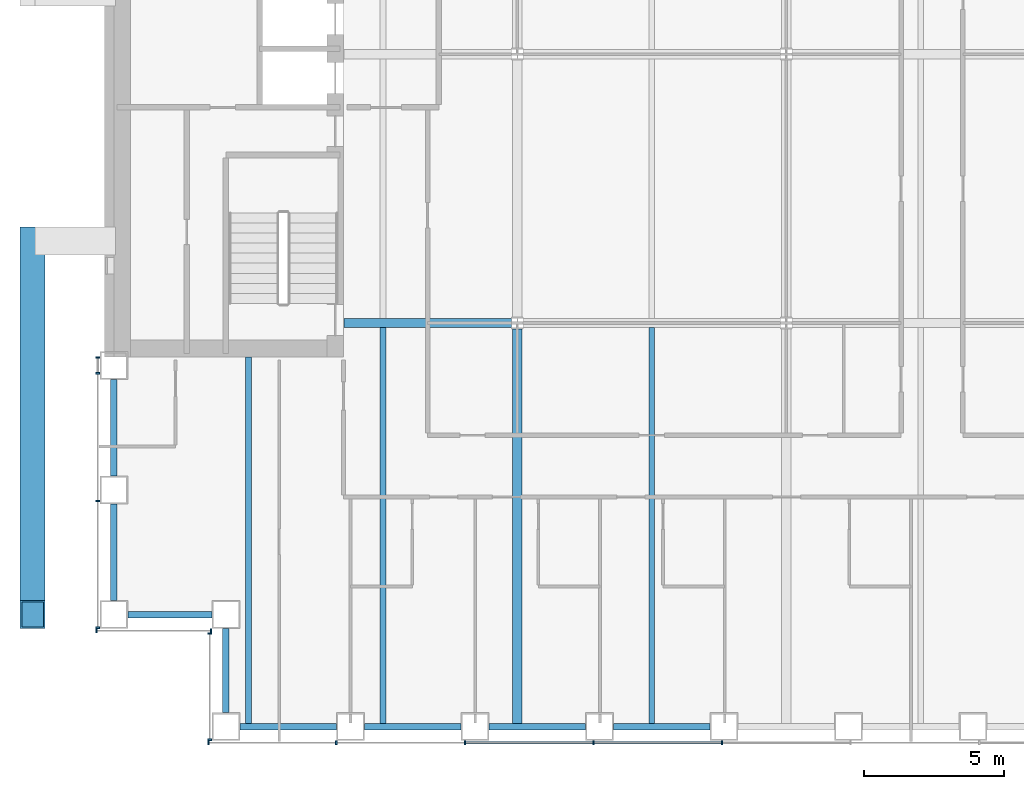
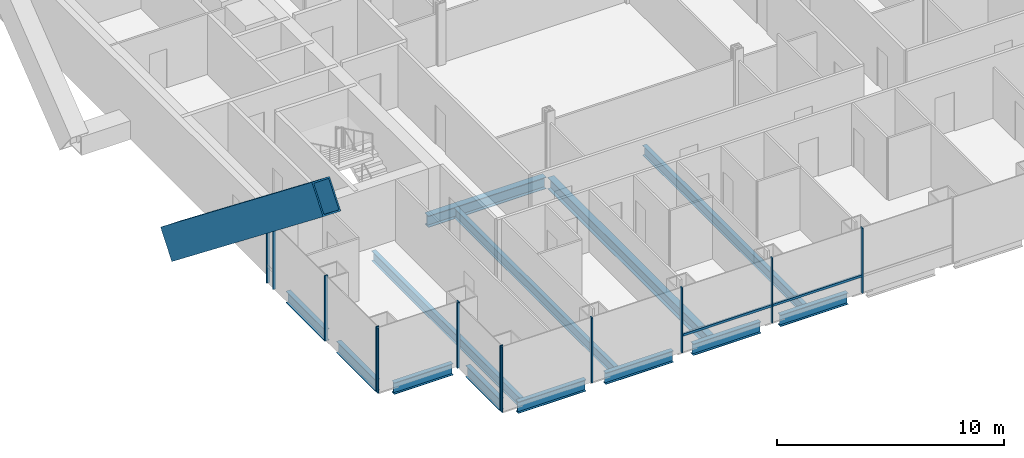
# One storey, part 2 of 23: 16 members, 13 beams, 4 elements without a shape of their own.
"""IFC4 building model written with IfcOpenShell, lengths in metres."""

from ifc_helpers import new_model, si_unit, direction, frame, origin, origin_2d, place, context, subcontext, project, spatial, rectangle, hollow_rectangle, i_section, extrude, material, material_profile, profile_set, type_object, element, aggregate, save


model = new_model("IFC4")

# Units and contexts
model_context = context("Model", 3, precision=1e-05, world=origin(), true_north=direction((0.0, 1.0)))
body_context = subcontext(model_context, "Body", "Model", "MODEL_VIEW")
ifc_project = project(units=[si_unit("LENGTHUNIT", "METRE"), si_unit("AREAUNIT", "SQUARE_METRE"), si_unit("VOLUMEUNIT", "CUBIC_METRE"), si_unit("PLANEANGLEUNIT", "RADIAN"), si_unit("MASSUNIT", "GRAM", prefix="KILO")], contexts=[model_context])

# Site, building, storey
site_placement = place(None, origin())
site = spatial("IfcSite", under=ifc_project, at=site_placement, CompositionType="ELEMENT")
building_placement = place(site_placement, origin())
building = spatial("IfcBuilding", under=site, at=building_placement, Name="Cobrizo Arcos Hotel Tower", CompositionType="ELEMENT")
storey_placement = place(building_placement, frame((0.0, 0.0, 56.5)))
storey = spatial("IfcBuildingStorey", under=building, at=storey_placement, Name="L12", CompositionType="ELEMENT", Elevation=56.5)

# Member
ifc_material_1 = material(Name="Steel ASTM A572 Grade 50", Category="steel")
ifc_material_profile_1 = material_profile(ifc_material_1, hollow_rectangle(XDim=0.89990234375, YDim=1.60009765625, WallThickness=0.070068359375, at=origin_2d()), Name="BOX 900X1600X70")
ifc_profile_set_1 = profile_set([ifc_material_profile_1], Name="Steel ASTM A572 Grade 50")
member_type_1 = type_object("IfcMemberType", Name="BOX 900X1600X70 perimeter brace", PredefinedType="BRACE", material=ifc_profile_set_1)
member_1_placement = place(storey_placement, frame((-26.89990234375, -6.666748046875, 0.5), z_axis=(0.0, -0.785634479204, 0.618690928563), x_axis=(1.0, 0.0, 0.0)))
element("IfcMember", 1, at=member_1_placement, inside=storey, type_object=member_type_1, Name="Perimeter brace PBR1, zone Z1, west face, no. 03", PredefinedType="BRACE", context=body_context, shape_type="SweptSolid", body=[
    extrude(hollow_rectangle(XDim=0.89990234375, YDim=1.60009765625, WallThickness=0.070068359375, at=origin_2d()), origin(), (0.0, 0.0, 1.0), 16.971435546875),
])

# Curtain wall, members
ifc_material_2 = material(Name="Aluminium 6063-T6 anodised bronze", Category="aluminium")
curtain_wall_type = type_object("IfcCurtainWallType", Name="CW-A guest facade", PredefinedType="NOTDEFINED", material=ifc_material_2)
curtain_wall_1_placement = place(storey_placement, origin())
curtain_wall_1 = element("IfcCurtainWall", 2, at=curtain_wall_1_placement, inside=storey, type_object=curtain_wall_type, Name="CW-A L12 S face", PredefinedType="NOTDEFINED")
ifc_material_profile_2 = material_profile(ifc_material_2, rectangle(XDim=0.14990234375, YDim=0.06005859375, at=origin_2d()), Name="CW-A mullion 150x60")
ifc_profile_set_2 = profile_set([ifc_material_profile_2], Name="Aluminium 6063-T6 anodised bronze")
member_type_2 = type_object("IfcMemberType", Name="CW-A mullion 150x60", PredefinedType="MULLION", material=ifc_profile_set_2)
member_2_placement = place(storey_placement, frame((-20.6201171875, -24.574951171875, 0.0), z_axis=(0.0, 0.0, 1.0), x_axis=(0.0, -1.0, 0.0)))
member_2 = element("IfcMember", 3, at=member_2_placement, type_object=member_type_2, Name="CW-A mullion 1", PredefinedType="MULLION", context=body_context, shape_type="SweptSolid", body=[
    extrude(rectangle(XDim=0.14990234375, YDim=0.06005859375, at=origin_2d()), origin(), (0.0, 0.0, 1.0), 3.5),
])
member_3_placement = place(storey_placement, frame((-16.06103515625, -24.574951171875, 0.0), z_axis=(0.0, 0.0, 1.0), x_axis=(0.0, -1.0, 0.0)))
member_3 = element("IfcMember", 4, at=member_3_placement, type_object=member_type_2, Name="CW-A mullion 2", PredefinedType="MULLION", context=body_context, shape_type="SweptSolid", body=[
    extrude(rectangle(XDim=0.14990234375, YDim=0.06005859375, at=origin_2d()), origin(), (0.0, 0.0, 1.0), 3.5),
])
member_4_placement = place(storey_placement, frame((-11.47216796875, -24.574951171875, 0.0), z_axis=(0.0, 0.0, 1.0), x_axis=(0.0, -1.0, 0.0)))
member_4 = element("IfcMember", 5, at=member_4_placement, type_object=member_type_2, Name="CW-A mullion 3", PredefinedType="MULLION", context=body_context, shape_type="SweptSolid", body=[
    extrude(rectangle(XDim=0.14990234375, YDim=0.06005859375, at=origin_2d()), origin(), (0.0, 0.0, 1.0), 3.5),
])
member_5_placement = place(storey_placement, frame((-6.88330078125, -24.574951171875, 0.0), z_axis=(0.0, 0.0, 1.0), x_axis=(0.0, -1.0, 0.0)))
member_5 = element("IfcMember", 6, at=member_5_placement, type_object=member_type_2, Name="CW-A mullion 4", PredefinedType="MULLION", context=body_context, shape_type="SweptSolid", body=[
    extrude(rectangle(XDim=0.14990234375, YDim=0.06005859375, at=origin_2d()), origin(), (0.0, 0.0, 1.0), 3.5),
])
member_6_placement = place(storey_placement, frame((-2.29443359375, -24.574951171875, 0.0), z_axis=(0.0, 0.0, 1.0), x_axis=(0.0, -1.0, 0.0)))
member_6 = element("IfcMember", 7, at=member_6_placement, type_object=member_type_2, Name="CW-A mullion 5", PredefinedType="MULLION", context=body_context, shape_type="SweptSolid", body=[
    extrude(rectangle(XDim=0.14990234375, YDim=0.06005859375, at=origin_2d()), origin(), (0.0, 0.0, 1.0), 3.5),
])

curtain_wall_2_placement = place(storey_placement, origin())
curtain_wall_2 = element("IfcCurtainWall", 8, at=curtain_wall_2_placement, inside=storey, type_object=curtain_wall_type, Name="CW-A L12 W face", PredefinedType="NOTDEFINED")
member_7_placement = place(storey_placement, frame((-24.574951171875, -10.830078125, 0.0), z_axis=(0.0, 0.0, 1.0), x_axis=(-1.0, 0.0, 0.0)))
member_7 = element("IfcMember", 9, at=member_7_placement, type_object=member_type_2, Name="CW-A mullion 1", PredefinedType="MULLION", context=body_context, shape_type="SweptSolid", body=[
    extrude(rectangle(XDim=0.14990234375, YDim=0.06005859375, at=origin_2d()), origin(), (0.0, 0.0, 1.0), 3.5),
])
member_8_placement = place(storey_placement, frame((-24.574951171875, -11.388916015625, 0.0), z_axis=(0.0, 0.0, 1.0), x_axis=(-1.0, 0.0, 0.0)))
member_8 = element("IfcMember", 10, at=member_8_placement, type_object=member_type_2, Name="CW-A mullion 2", PredefinedType="MULLION", context=body_context, shape_type="SweptSolid", body=[
    extrude(rectangle(XDim=0.14990234375, YDim=0.06005859375, at=origin_2d()), origin(), (0.0, 0.0, 1.0), 3.5),
])
member_9_placement = place(storey_placement, frame((-24.574951171875, -15.9443359375, 0.0), z_axis=(0.0, 0.0, 1.0), x_axis=(-1.0, 0.0, 0.0)))
member_9 = element("IfcMember", 11, at=member_9_placement, type_object=member_type_2, Name="CW-A mullion 3", PredefinedType="MULLION", context=body_context, shape_type="SweptSolid", body=[
    extrude(rectangle(XDim=0.14990234375, YDim=0.06005859375, at=origin_2d()), origin(), (0.0, 0.0, 1.0), 3.5),
])
member_10_placement = place(storey_placement, frame((-24.574951171875, -20.469970703125, 0.0), z_axis=(0.0, 0.0, 1.0), x_axis=(-1.0, 0.0, 0.0)))
member_10 = element("IfcMember", 12, at=member_10_placement, type_object=member_type_2, Name="CW-A mullion 4", PredefinedType="MULLION", context=body_context, shape_type="SweptSolid", body=[
    extrude(rectangle(XDim=0.14990234375, YDim=0.06005859375, at=origin_2d()), origin(), (0.0, 0.0, 1.0), 3.5),
])
aggregate(curtain_wall_2, [member_7, member_8, member_9, member_10])

curtain_wall_3_placement = place(storey_placement, origin())
curtain_wall_3 = element("IfcCurtainWall", 13, at=curtain_wall_3_placement, inside=storey, type_object=curtain_wall_type, Name="CW-A L12 S face", PredefinedType="NOTDEFINED")
member_11_placement = place(storey_placement, frame((-24.6201171875, -20.574951171875, 0.0), z_axis=(0.0, 0.0, 1.0), x_axis=(0.0, -1.0, 0.0)))
member_11 = element("IfcMember", 14, at=member_11_placement, type_object=member_type_2, Name="CW-A mullion 1", PredefinedType="MULLION", context=body_context, shape_type="SweptSolid", body=[
    extrude(rectangle(XDim=0.14990234375, YDim=0.06005859375, at=origin_2d()), origin(), (0.0, 0.0, 1.0), 3.5),
])
member_12_placement = place(storey_placement, frame((-20.530029296875, -20.574951171875, 0.0), z_axis=(0.0, 0.0, 1.0), x_axis=(0.0, -1.0, 0.0)))
member_12 = element("IfcMember", 15, at=member_12_placement, type_object=member_type_2, Name="CW-A mullion 2", PredefinedType="MULLION", context=body_context, shape_type="SweptSolid", body=[
    extrude(rectangle(XDim=0.14990234375, YDim=0.06005859375, at=origin_2d()), origin(), (0.0, 0.0, 1.0), 3.5),
])
aggregate(curtain_wall_3, [member_11, member_12])

curtain_wall_4_placement = place(storey_placement, origin())
curtain_wall_4 = element("IfcCurtainWall", 16, at=curtain_wall_4_placement, inside=storey, type_object=curtain_wall_type, Name="CW-A L12 W face", PredefinedType="NOTDEFINED")
member_13_placement = place(storey_placement, frame((-20.574951171875, -20.679931640625, 0.0), z_axis=(0.0, 0.0, 1.0), x_axis=(-1.0, 0.0, 0.0)))
member_13 = element("IfcMember", 17, at=member_13_placement, type_object=member_type_2, Name="CW-A mullion 1", PredefinedType="MULLION", context=body_context, shape_type="SweptSolid", body=[
    extrude(rectangle(XDim=0.14990234375, YDim=0.06005859375, at=origin_2d()), origin(), (0.0, 0.0, 1.0), 3.5),
])
member_14_placement = place(storey_placement, frame((-20.574951171875, -24.469970703125, 0.0), z_axis=(0.0, 0.0, 1.0), x_axis=(-1.0, 0.0, 0.0)))
member_14 = element("IfcMember", 18, at=member_14_placement, type_object=member_type_2, Name="CW-A mullion 2", PredefinedType="MULLION", context=body_context, shape_type="SweptSolid", body=[
    extrude(rectangle(XDim=0.14990234375, YDim=0.06005859375, at=origin_2d()), origin(), (0.0, 0.0, 1.0), 3.5),
])
aggregate(curtain_wall_4, [member_13, member_14])

# Member
ifc_material_profile_3 = material_profile(ifc_material_2, rectangle(XDim=0.10009765625, YDim=0.1201171875, at=origin_2d()), Name="CW-A transom 120x100")
ifc_profile_set_3 = profile_set([ifc_material_profile_3], Name="Aluminium 6063-T6 anodised bronze")
member_type_3 = type_object("IfcMemberType", Name="CW-A transom 120x100", PredefinedType="USERDEFINED", material=ifc_profile_set_3)
member_15_placement = place(storey_placement, frame((-11.442138671875, -24.574951171875, 0.929931640625), z_axis=(1.0, 0.0, 0.0), x_axis=(0.0, 1.0, 0.0)))
member_15 = element("IfcMember", 19, at=member_15_placement, type_object=member_type_3, Name="CW-A transom 553", ObjectType="TRANSOM", PredefinedType="USERDEFINED", context=body_context, shape_type="SweptSolid", body=[
    extrude(rectangle(XDim=0.10009765625, YDim=0.1201171875, at=origin_2d()), origin(), (0.0, 0.0, 1.0), 4.52880859375),
])

member_16_placement = place(storey_placement, frame((-6.853271484375, -24.574951171875, 0.929931640625), z_axis=(1.0, 0.0, 0.0), x_axis=(0.0, 1.0, 0.0)))
member_16 = element("IfcMember", 20, at=member_16_placement, type_object=member_type_3, Name="CW-A transom 554", ObjectType="TRANSOM", PredefinedType="USERDEFINED", context=body_context, shape_type="SweptSolid", body=[
    extrude(rectangle(XDim=0.10009765625, YDim=0.1201171875, at=origin_2d()), origin(), (0.0, 0.0, 1.0), 4.52880859375),
])

aggregate(curtain_wall_1, [member_2, member_3, member_4, member_5, member_6, member_15, member_16])

# Beams
ifc_material_3 = material(Name="Steel ASTM A992 Grade 50", Category="steel")
ifc_material_profile_4 = material_profile(ifc_material_3, i_section(OverallWidth=0.209228515625, OverallDepth=0.533447265625, WebThickness=0.01025390625, FlangeThickness=0.015625, at=origin_2d()), Name="W21X62")
ifc_profile_set_4 = profile_set([ifc_material_profile_4], Name="Steel ASTM A992 Grade 50")
beam_type_1 = type_object("IfcBeamType", Name="W21X62 joist", PredefinedType="JOIST", material=ifc_profile_set_4)
beam_1_placement = place(storey_placement, frame((-19.199951171875, -23.909912109375, -0.416748046875), z_axis=(0.0, 1.0, 0.0), x_axis=(-1.0, 0.0, 0.0)))
element("IfcBeam", 21, at=beam_1_placement, inside=storey, type_object=beam_type_1, Name="Floor joist J1, L12, no. 001", PredefinedType="JOIST", context=body_context, shape_type="SweptSolid", body=[
    extrude(i_section(OverallWidth=0.209228515625, OverallDepth=0.533447265625, WebThickness=0.01025390625, FlangeThickness=0.015625, at=origin_2d()), origin(), (0.0, 0.0, 1.0), 13.099853515625),
])
for number, where, z_axis, x_axis, name in (
    (22, (-14.39990234375, -23.909912109375, -0.416748046875), (0.0, 1.0, 0.0), (-1.0, 0.0, 0.0), "Floor joist J1, L12, no. 003"),
    (23, (-4.800048828125, -23.909912109375, -0.416748046875), (0.0, 1.0, 0.0), (-1.0, 0.0, 0.0), "Floor joist J1, L12, no. 007"),
):
    element("IfcBeam", number, at=place(storey_placement, frame(where, z_axis=z_axis, x_axis=x_axis)), inside=storey, type_object=beam_type_1, Name=name, PredefinedType="JOIST", context=body_context, shape_type="SweptSolid", body=[
        extrude(i_section(OverallWidth=0.209228515625, OverallDepth=0.533447265625, WebThickness=0.01025390625, FlangeThickness=0.015625, at=origin_2d()), origin(), (0.0, 0.0, 1.0), 14.14599609375),
    ])
ifc_material_profile_5 = material_profile(ifc_material_3, i_section(OverallWidth=0.32763671875, OverallDepth=0.622314453125, WebThickness=0.015380859375, FlangeThickness=0.0244140625, at=origin_2d()), Name="W24X131")
ifc_profile_set_5 = profile_set([ifc_material_profile_5], Name="Steel ASTM A992 Grade 50")
beam_type_2 = type_object("IfcBeamType", Name="W24X131 girder", PredefinedType="BEAM", material=ifc_profile_set_5)
beam_2_placement = place(storey_placement, frame((-15.7900390625, -9.60009765625, -0.461181640625), z_axis=(1.0, 0.0, 0.0), x_axis=(0.0, 1.0, 0.0)))
element("IfcBeam", 24, at=beam_2_placement, inside=storey, type_object=beam_type_2, Name="Floor girder G1, L12, no. 001", PredefinedType="BEAM", context=body_context, shape_type="SweptSolid", body=[
    extrude(i_section(OverallWidth=0.32763671875, OverallDepth=0.622314453125, WebThickness=0.015380859375, FlangeThickness=0.0244140625, at=origin_2d()), origin(), (0.0, 0.0, 1.0), 5.985595703125),
])
beam_3_placement = place(storey_placement, frame((-9.60009765625, -23.909912109375, -0.461181640625), z_axis=(0.0, 1.0, 0.0), x_axis=(-1.0, 0.0, 0.0)))
element("IfcBeam", 25, at=beam_3_placement, inside=storey, type_object=beam_type_2, Name="Floor girder G1, L12, no. 013", PredefinedType="BEAM", context=body_context, shape_type="SweptSolid", body=[
    extrude(i_section(OverallWidth=0.32763671875, OverallDepth=0.622314453125, WebThickness=0.015380859375, FlangeThickness=0.0244140625, at=origin_2d()), origin(), (0.0, 0.0, 1.0), 14.10546875),
])
ifc_material_profile_6 = material_profile(ifc_material_3, i_section(OverallWidth=0.23046875, OverallDepth=0.6171875, WebThickness=0.01318359375, FlangeThickness=0.022216796875, at=origin_2d()), Name="W24X94")
ifc_profile_set_6 = profile_set([ifc_material_profile_6], Name="Steel ASTM A992 Grade 50")
beam_type_3 = type_object("IfcBeamType", Name="W24X94 spandrel", PredefinedType="SPANDREL", material=ifc_profile_set_6)
beam_4_placement = place(storey_placement, frame((-19.5, -24.0, -0.45849609375), z_axis=(1.0, 0.0, 0.0), x_axis=(0.0, 1.0, 0.0)))
element("IfcBeam", 26, at=beam_4_placement, inside=storey, type_object=beam_type_3, Name="Spandrel beam W24X94, L12, no. 001", PredefinedType="SPANDREL", context=body_context, shape_type="SweptSolid", body=[
    extrude(i_section(OverallWidth=0.23046875, OverallDepth=0.6171875, WebThickness=0.01318359375, FlangeThickness=0.022216796875, at=origin_2d()), origin(), (0.0, 0.0, 1.0), 3.444091796875),
])
beam_5_placement = place(storey_placement, frame((-15.055908203125, -24.0, -0.45849609375), z_axis=(1.0, 0.0, 0.0), x_axis=(0.0, 1.0, 0.0)))
element("IfcBeam", 27, at=beam_5_placement, inside=storey, type_object=beam_type_3, Name="Spandrel beam W24X94, L12, no. 002", PredefinedType="SPANDREL", context=body_context, shape_type="SweptSolid", body=[
    extrude(i_section(OverallWidth=0.23046875, OverallDepth=0.6171875, WebThickness=0.01318359375, FlangeThickness=0.022216796875, at=origin_2d()), origin(), (0.0, 0.0, 1.0), 3.44482421875),
])
beam_6_placement = place(storey_placement, frame((-10.611083984375, -24.0, -0.45849609375), z_axis=(1.0, 0.0, 0.0), x_axis=(0.0, 1.0, 0.0)))
element("IfcBeam", 28, at=beam_6_placement, inside=storey, type_object=beam_type_3, Name="Spandrel beam W24X94, L12, no. 003", PredefinedType="SPANDREL", context=body_context, shape_type="SweptSolid", body=[
    extrude(i_section(OverallWidth=0.23046875, OverallDepth=0.6171875, WebThickness=0.01318359375, FlangeThickness=0.022216796875, at=origin_2d()), origin(), (0.0, 0.0, 1.0), 3.444091796875),
])
beam_7_placement = place(storey_placement, frame((-6.1669921875, -24.0, -0.45849609375), z_axis=(1.0, 0.0, 0.0), x_axis=(0.0, 1.0, 0.0)))
element("IfcBeam", 29, at=beam_7_placement, inside=storey, type_object=beam_type_3, Name="Spandrel beam W24X94, L12, no. 004", PredefinedType="SPANDREL", context=body_context, shape_type="SweptSolid", body=[
    extrude(i_section(OverallWidth=0.23046875, OverallDepth=0.6171875, WebThickness=0.01318359375, FlangeThickness=0.022216796875, at=origin_2d()), origin(), (0.0, 0.0, 1.0), 3.445068359375),
])
beam_8_placement = place(storey_placement, frame((-24.0, -11.611083984375, -0.45849609375), z_axis=(0.0, -1.0, 0.0), x_axis=(1.0, 0.0, 0.0)))
element("IfcBeam", 30, at=beam_8_placement, inside=storey, type_object=beam_type_3, Name="Spandrel beam W24X94, L12, no. 031", PredefinedType="SPANDREL", context=body_context, shape_type="SweptSolid", body=[
    extrude(i_section(OverallWidth=0.23046875, OverallDepth=0.6171875, WebThickness=0.01318359375, FlangeThickness=0.022216796875, at=origin_2d()), origin(), (0.0, 0.0, 1.0), 3.44482421875),
])
beam_9_placement = place(storey_placement, frame((-24.0, -16.055908203125, -0.45849609375), z_axis=(0.0, -1.0, 0.0), x_axis=(1.0, 0.0, 0.0)))
element("IfcBeam", 31, at=beam_9_placement, inside=storey, type_object=beam_type_3, Name="Spandrel beam W24X94, L12, no. 032", PredefinedType="SPANDREL", context=body_context, shape_type="SweptSolid", body=[
    extrude(i_section(OverallWidth=0.23046875, OverallDepth=0.6171875, WebThickness=0.01318359375, FlangeThickness=0.022216796875, at=origin_2d()), origin(), (0.0, 0.0, 1.0), 3.444091796875),
])
for number, where, z_axis, x_axis, name in (
    (32, (-23.5, -20.0, -0.45849609375), (1.0, 0.0, 0.0), (0.0, 1.0, 0.0), "Spandrel beam W24X94, L12, no. 033"),
    (33, (-20.0, -20.5, -0.45849609375), (0.0, -1.0, 0.0), (1.0, 0.0, 0.0), "Spandrel beam W24X94, L12, no. 034"),
):
    element("IfcBeam", number, at=place(storey_placement, frame(where, z_axis=z_axis, x_axis=x_axis)), inside=storey, type_object=beam_type_3, Name=name, PredefinedType="SPANDREL", context=body_context, shape_type="SweptSolid", body=[
        extrude(i_section(OverallWidth=0.23046875, OverallDepth=0.6171875, WebThickness=0.01318359375, FlangeThickness=0.022216796875, at=origin_2d()), origin(), (0.0, 0.0, 1.0), 3.0),
    ])

save(model, "model.ifc")
